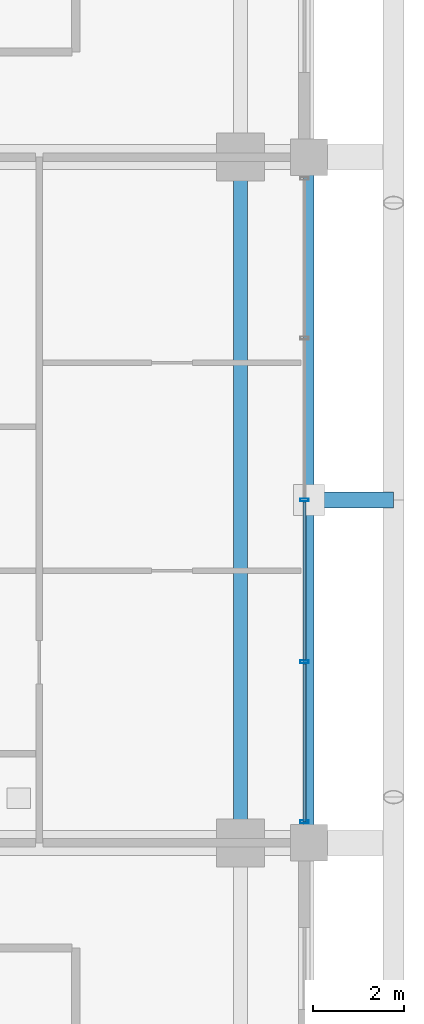
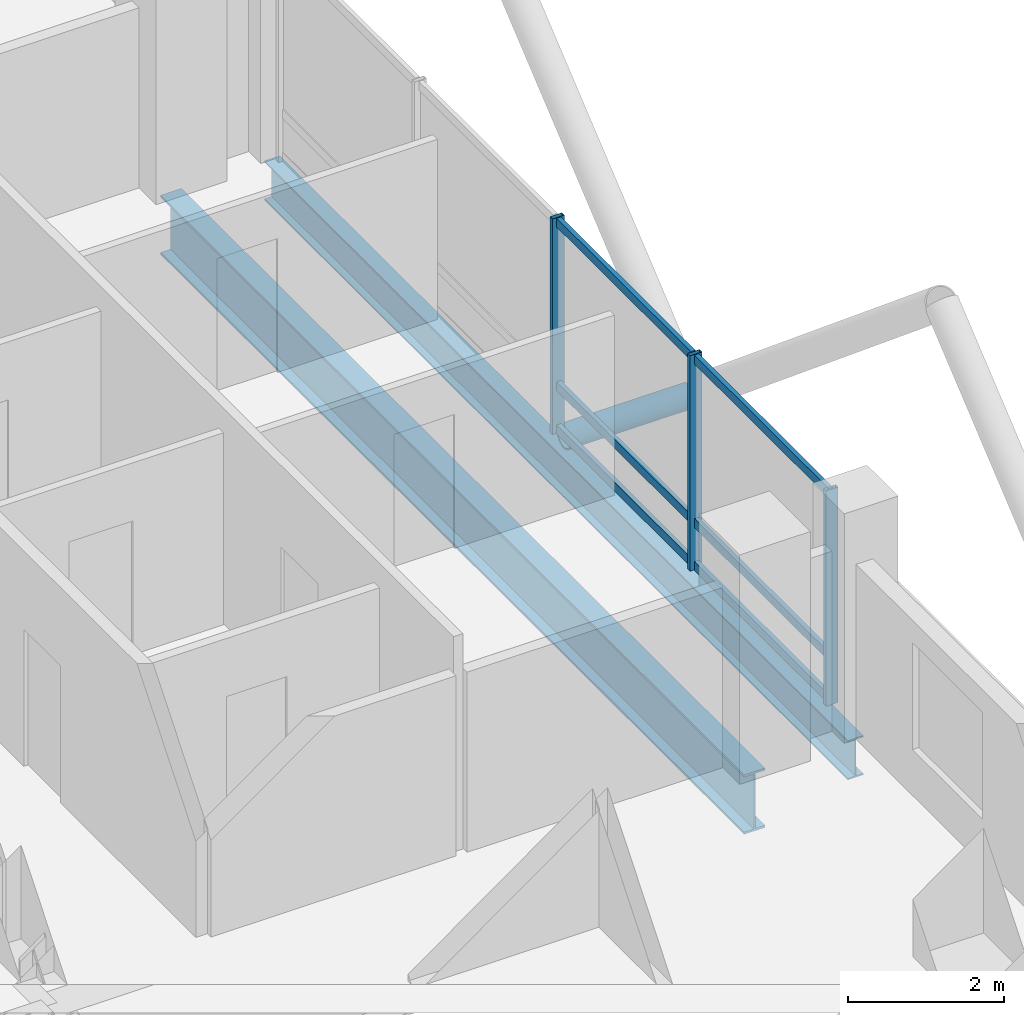
# One storey, part 6 of 23: 10 members, 2 beams, 1 element without a shape of its own.
"""IFC4 building model written with IfcOpenShell, lengths in metres."""

from ifc_helpers import new_model, si_unit, direction, frame, origin, origin_2d, place, context, subcontext, project, spatial, hollow_rectangle, hollow_circle, i_section, extrude, material, layer, layer_set, material_profile, profile_set, type_object, element, aggregate, save


model = new_model("IFC4")

# Units and contexts
model_context = context("Model", 3, precision=1e-05, world=origin(), true_north=direction((0.0, 1.0)))
body_context = subcontext(model_context, "Body", "Model", "MODEL_VIEW")
ifc_project = project(units=[si_unit("LENGTHUNIT", "METRE"), si_unit("AREAUNIT", "SQUARE_METRE"), si_unit("VOLUMEUNIT", "CUBIC_METRE"), si_unit("PLANEANGLEUNIT", "RADIAN"), si_unit("MASSUNIT", "GRAM", prefix="KILO")], contexts=[model_context])

# Site, building, storey
site_placement = place(None, origin())
site = spatial("IfcSite", under=ifc_project, at=site_placement, CompositionType="ELEMENT")
building_placement = place(site_placement, origin())
building = spatial("IfcBuilding", under=site, at=building_placement, Name="Barlavira Tower and Art Museum", CompositionType="ELEMENT")
storey_placement = place(building_placement, frame((0.0, 0.0, 165.60009765625)))
storey = spatial("IfcBuildingStorey", under=building, at=storey_placement, Name="L42", CompositionType="ELEMENT", Elevation=165.60009765625)

# Curtain wall, members
ifc_material_1 = material(Name="Low-iron coastal laminated glass", Category="glass")
ifc_layer = layer(ifc_material_1, 0.199951171875, Name="Low-iron coastal laminated glass")
ifc_layer_set = layer_set([ifc_layer], Name="Low-iron coastal laminated glass")
curtain_wall_type = type_object("IfcCurtainWallType", Name="Pale-Metal Unitised Curtain Wall Zone 3", PredefinedType="NOTDEFINED", material=ifc_layer_set)
curtain_wall_placement = place(storey_placement, origin())
curtain_wall = element("IfcCurtainWall", 1, at=curtain_wall_placement, inside=storey, type_object=curtain_wall_type, Name="L42 Curtain Wall CW3-L42-E-B3", PredefinedType="NOTDEFINED")
ifc_material_2 = material(Name="Pale anodised aluminium", Category="aluminium")
ifc_material_profile_1 = material_profile(ifc_material_2, hollow_rectangle(XDim=0.06494140625, YDim=0.179931640625, WallThickness=0.00390625, at=origin_2d()), Name="ALU-MULL 65x180x4")
ifc_profile_set_1 = profile_set([ifc_material_profile_1], Name="Pale anodised aluminium")
member_type_1 = type_object("IfcMemberType", Name="Curtain Wall Pale-Metal Mullion 65x180", PredefinedType="MULLION", material=ifc_profile_set_1)
member_1_placement = place(storey_placement, frame((18.39990234375, -7.034912109375, 0.0), z_axis=(0.0, 0.0, 1.0), x_axis=(0.0, 1.0, 0.0)))
member_1 = element("IfcMember", 2, at=member_1_placement, type_object=member_type_1, Name="CW3-L42-E-B3 Mullion 0", PredefinedType="MULLION", context=body_context, shape_type="SweptSolid", body=[
    extrude(hollow_rectangle(XDim=0.06494140625, YDim=0.179931640625, WallThickness=0.00390625, at=origin_2d()), origin(), (0.0, 0.0, 1.0), 3.3798828125),
])
member_2_placement = place(storey_placement, frame((18.39990234375, -3.5400390625, 0.0), z_axis=(0.0, 0.0, 1.0), x_axis=(0.0, 1.0, 0.0)))
member_2 = element("IfcMember", 3, at=member_2_placement, type_object=member_type_1, Name="CW3-L42-E-B3 Mullion 1", PredefinedType="MULLION", context=body_context, shape_type="SweptSolid", body=[
    extrude(hollow_rectangle(XDim=0.06494140625, YDim=0.179931640625, WallThickness=0.00390625, at=origin_2d()), origin(), (0.0, 0.0, 1.0), 3.3798828125),
])
member_3_placement = place(storey_placement, frame((18.39990234375, 0.0, 0.0), z_axis=(0.0, 0.0, 1.0), x_axis=(0.0, 1.0, 0.0)))
member_3 = element("IfcMember", 4, at=member_3_placement, type_object=member_type_1, Name="CW3-L42-E-B3 Mullion 2", PredefinedType="MULLION", context=body_context, shape_type="SweptSolid", body=[
    extrude(hollow_rectangle(XDim=0.06494140625, YDim=0.179931640625, WallThickness=0.00390625, at=origin_2d()), origin(), (0.0, 0.0, 1.0), 3.3798828125),
])
ifc_material_profile_2 = material_profile(ifc_material_2, hollow_rectangle(XDim=0.06494140625, YDim=0.139892578125, WallThickness=0.00390625, at=origin_2d()), Name="ALU-TRAN 65x140x4")
ifc_profile_set_2 = profile_set([ifc_material_profile_2], Name="Pale anodised aluminium")
member_type_2 = type_object("IfcMemberType", Name="Curtain Wall Pale-Metal Transom 65x140", PredefinedType="USERDEFINED", material=ifc_profile_set_2)
member_4_placement = place(storey_placement, frame((18.39990234375, -7.034912109375, 0.06982421875), z_axis=(0.0, 1.0, 0.0), x_axis=(-1.0, 0.0, 0.0)))
member_4 = element("IfcMember", 5, at=member_4_placement, type_object=member_type_2, Name="CW3-L42-E-B3 Transom 0.1", ObjectType="TRANSOM", PredefinedType="USERDEFINED", context=body_context, shape_type="SweptSolid", body=[
    extrude(hollow_rectangle(XDim=0.06494140625, YDim=0.139892578125, WallThickness=0.00390625, at=origin_2d()), origin(), (0.0, 0.0, 1.0), 3.449951171875),
])
member_5_placement = place(storey_placement, frame((18.39990234375, -7.034912109375, 0.743896484375), z_axis=(0.0, 1.0, 0.0), x_axis=(-1.0, 0.0, 0.0)))
member_5 = element("IfcMember", 6, at=member_5_placement, type_object=member_type_2, Name="CW3-L42-E-B3 Transom 0.2", ObjectType="TRANSOM", PredefinedType="USERDEFINED", context=body_context, shape_type="SweptSolid", body=[
    extrude(hollow_rectangle(XDim=0.06494140625, YDim=0.139892578125, WallThickness=0.00390625, at=origin_2d()), origin(), (0.0, 0.0, 1.0), 3.449951171875),
])
member_6_placement = place(storey_placement, frame((18.39990234375, -7.034912109375, 3.309814453125), z_axis=(0.0, 1.0, 0.0), x_axis=(-1.0, 0.0, 0.0)))
member_6 = element("IfcMember", 7, at=member_6_placement, type_object=member_type_2, Name="CW3-L42-E-B3 Transom 0.3", ObjectType="TRANSOM", PredefinedType="USERDEFINED", context=body_context, shape_type="SweptSolid", body=[
    extrude(hollow_rectangle(XDim=0.06494140625, YDim=0.139892578125, WallThickness=0.00390625, at=origin_2d()), origin(), (0.0, 0.0, 1.0), 3.449951171875),
])
member_7_placement = place(storey_placement, frame((18.39990234375, -3.4951171875, 0.06982421875), z_axis=(0.0, 1.0, 0.0), x_axis=(-1.0, 0.0, 0.0)))
member_7 = element("IfcMember", 8, at=member_7_placement, type_object=member_type_2, Name="CW3-L42-E-B3 Transom 1.1", ObjectType="TRANSOM", PredefinedType="USERDEFINED", context=body_context, shape_type="SweptSolid", body=[
    extrude(hollow_rectangle(XDim=0.06494140625, YDim=0.139892578125, WallThickness=0.00390625, at=origin_2d()), origin(), (0.0, 0.0, 1.0), 3.4501953125),
])
member_8_placement = place(storey_placement, frame((18.39990234375, -3.4951171875, 0.743896484375), z_axis=(0.0, 1.0, 0.0), x_axis=(-1.0, 0.0, 0.0)))
member_8 = element("IfcMember", 9, at=member_8_placement, type_object=member_type_2, Name="CW3-L42-E-B3 Transom 1.2", ObjectType="TRANSOM", PredefinedType="USERDEFINED", context=body_context, shape_type="SweptSolid", body=[
    extrude(hollow_rectangle(XDim=0.06494140625, YDim=0.139892578125, WallThickness=0.00390625, at=origin_2d()), origin(), (0.0, 0.0, 1.0), 3.4501953125),
])
member_9_placement = place(storey_placement, frame((18.39990234375, -3.4951171875, 3.309814453125), z_axis=(0.0, 1.0, 0.0), x_axis=(-1.0, 0.0, 0.0)))
member_9 = element("IfcMember", 10, at=member_9_placement, type_object=member_type_2, Name="CW3-L42-E-B3 Transom 1.3", ObjectType="TRANSOM", PredefinedType="USERDEFINED", context=body_context, shape_type="SweptSolid", body=[
    extrude(hollow_rectangle(XDim=0.06494140625, YDim=0.139892578125, WallThickness=0.00390625, at=origin_2d()), origin(), (0.0, 0.0, 1.0), 3.4501953125),
])
aggregate(curtain_wall, [member_1, member_2, member_3, member_4, member_5, member_6, member_7, member_8, member_9])

# Member
ifc_material_3 = material(Name="Steel S355", Category="steel")
ifc_material_profile_3 = material_profile(ifc_material_3, hollow_circle(Radius=0.177734375, WallThickness=0.01611328125, at=origin_2d()), Name="CHS 355.6x16.0")
ifc_profile_set_3 = profile_set([ifc_material_profile_3], Name="Steel S355")
member_type_3 = type_object("IfcMemberType", Name="Pale-Metal Exoskeleton Tie Strut CHS 356x16 Steel S355", PredefinedType="STRUT", material=ifc_profile_set_3)
member_10_placement = place(storey_placement, frame((20.35009765625, 0.0, -0.1201171875), z_axis=(-1.0, 0.0, 0.0), x_axis=(0.0, -1.0, 0.0)))
element("IfcMember", 11, at=member_10_placement, inside=storey, type_object=member_type_3, Name="L42 Exoskeleton Tie Strut E2", PredefinedType="STRUT", context=body_context, shape_type="SweptSolid", body=[
    extrude(hollow_circle(Radius=0.177734375, WallThickness=0.01611328125, at=origin_2d()), origin(), (0.0, 0.0, 1.0), 1.85009765625),
])

# Beams
ifc_material_profile_4 = material_profile(ifc_material_3, i_section(OverallWidth=0.30908203125, OverallDepth=0.931884765625, WebThickness=0.01953125, FlangeThickness=0.034423828125, at=origin_2d()), Name="W920x313.0")
ifc_profile_set_4 = profile_set([ifc_material_profile_4], Name="Steel S355")
beam_type_1 = type_object("IfcBeamType", Name="Setback Ring Girder W920x313 Steel S355", PredefinedType="BEAM", material=ifc_profile_set_4)
beam_1_placement = place(storey_placement, frame((17.0, -7.5, -0.76611328125), z_axis=(0.0, 1.0, 0.0), x_axis=(-1.0, 0.0, 0.0)))
element("IfcBeam", 12, at=beam_1_placement, inside=storey, type_object=beam_type_1, Name="L42 Girder M-E2", PredefinedType="BEAM", context=body_context, shape_type="SweptSolid", body=[
    extrude(i_section(OverallWidth=0.30908203125, OverallDepth=0.931884765625, WebThickness=0.01953125, FlangeThickness=0.034423828125, at=origin_2d()), origin(), (0.0, 0.0, 1.0), 15.0),
])
ifc_material_profile_5 = material_profile(ifc_material_3, i_section(OverallWidth=0.22998046875, OverallDepth=0.616943359375, WebThickness=0.01318359375, FlangeThickness=0.022216796875, at=origin_2d()), Name="W610x140.0")
ifc_profile_set_5 = profile_set([ifc_material_profile_5], Name="Steel S355")
beam_type_2 = type_object("IfcBeamType", Name="Upper Shaft Spandrel Edge Beam W610x140 Steel S355", PredefinedType="SPANDREL", material=ifc_profile_set_5)
beam_2_placement = place(storey_placement, frame((18.5, -7.5, -0.608642578125), z_axis=(0.0, 1.0, 0.0), x_axis=(-1.0, 0.0, 0.0)))
element("IfcBeam", 13, at=beam_2_placement, inside=storey, type_object=beam_type_2, Name="L42 Spandrel 6", PredefinedType="SPANDREL", context=body_context, shape_type="SweptSolid", body=[
    extrude(i_section(OverallWidth=0.22998046875, OverallDepth=0.616943359375, WebThickness=0.01318359375, FlangeThickness=0.022216796875, at=origin_2d()), origin(), (0.0, 0.0, 1.0), 15.0),
])

save(model, "model.ifc")
